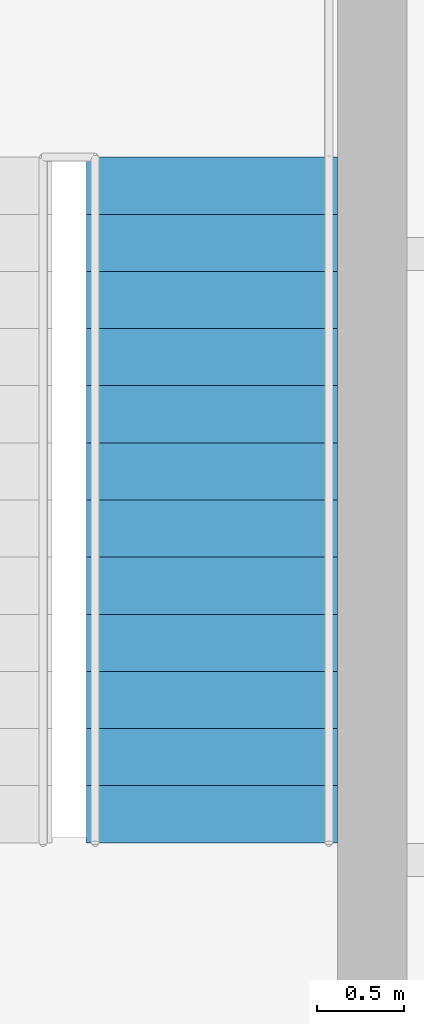
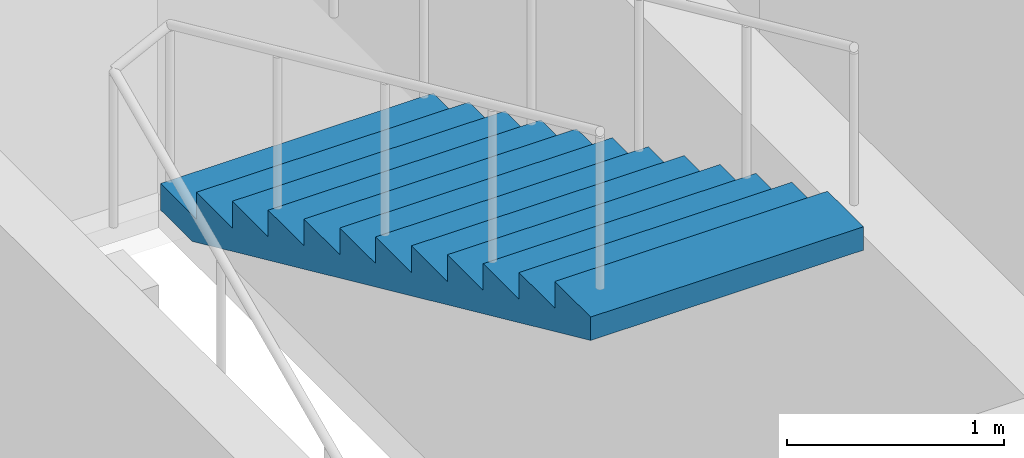
# One storey, part 9 of 10: 1 stair flight, 1 element without a shape of its own.
"""IFC4 building model written with IfcOpenShell, lengths in metres."""

from ifc_helpers import new_model, si_unit, direction, frame, origin, place, context, subcontext, project, spatial, polygons, material, type_object, element, aggregate, save


model = new_model("IFC4")

# Units and contexts
model_context = context("Model", 3, precision=1e-05, world=origin(), true_north=direction((0.0, 1.0)))
body_context = subcontext(model_context, "Body", "Model", "MODEL_VIEW")
ifc_project = project(units=[si_unit("LENGTHUNIT", "METRE"), si_unit("AREAUNIT", "SQUARE_METRE"), si_unit("VOLUMEUNIT", "CUBIC_METRE"), si_unit("PLANEANGLEUNIT", "RADIAN"), si_unit("MASSUNIT", "GRAM", prefix="KILO")], contexts=[model_context])

# Site, building, storey
site_placement = place(None, origin())
site = spatial("IfcSite", under=ifc_project, at=site_placement, CompositionType="ELEMENT")
building_placement = place(site_placement, origin())
building = spatial("IfcBuilding", under=site, at=building_placement, Name="Njiva Tower", CompositionType="ELEMENT")
storey_placement = place(building_placement, frame((0.0, 0.0, 257.1)))
storey = spatial("IfcBuildingStorey", under=building, at=storey_placement, Name="L58", CompositionType="ELEMENT", Elevation=257.1)

# Stair, stair flight
ifc_material = material(Name="Concrete C40/50", Category="concrete")
stair_type = type_object("IfcStairType", Name="ST3 Exit stair 1450", PredefinedType="HALF_TURN_STAIR", material=ifc_material)
stair_placement = place(storey_placement, origin())
stair = element("IfcStair", 1, at=stair_placement, inside=storey, type_object=stair_type, Name="Stair B", PredefinedType="HALF_TURN_STAIR")
stair_flight_type = type_object("IfcStairFlightType", Name="FL3 Stair flight 1450", PredefinedType="STRAIGHT", material=ifc_material)
stair_flight_placement = place(storey_placement, frame((13.375, 15.06, 1.95), z_axis=(0.0, 0.0, 1.0), x_axis=(0.0, -1.0, 0.0)))
stair_flight = element("IfcStairFlight", 2, at=stair_flight_placement, type_object=stair_flight_type, Name="ST-B flight 2", NumberOfRisers=13, NumberOfTreads=12, PredefinedType="STRAIGHT", RiserHeight=0.15, TreadLength=0.33, context=body_context, shape_type="Tessellation", body=[
    polygons([(0.0, 0.725, 0.0), (0.0, 0.3625, 0.0), (0.0, 0.0, 0.0), (0.0, -0.3625, 0.0), (0.0, -0.725, 0.0), (0.0, 0.725, 0.15), (0.0, 0.3625, 0.15), (0.0, 0.0, 0.15), (0.0, -0.3625, 0.15), (0.0, -0.725, 0.15), (0.33, 0.725, 0.15), (0.33, 0.3625, 0.15), (0.33, 0.0, 0.15), (0.33, -0.3625, 0.15), (0.33, -0.725, 0.15), (0.33, 0.725, 0.3), (0.33, 0.3625, 0.3), (0.33, 0.0, 0.3), (0.33, -0.3625, 0.3), (0.33, -0.725, 0.3), (0.66, 0.725, 0.3), (0.66, 0.3625, 0.3), (0.66, 0.0, 0.3), (0.66, -0.3625, 0.3), (0.66, -0.725, 0.3), (0.66, 0.725, 0.45), (0.66, 0.3625, 0.45), (0.66, 0.0, 0.45), (0.66, -0.3625, 0.45), (0.66, -0.725, 0.45), (0.99, 0.725, 0.45), (0.99, 0.3625, 0.45), (0.99, 0.0, 0.45), (0.99, -0.3625, 0.45), (0.99, -0.725, 0.45), (0.99, 0.725, 0.6), (0.99, 0.3625, 0.6), (0.99, 0.0, 0.6), (0.99, -0.3625, 0.6), (0.99, -0.725, 0.6), (1.32, 0.725, 0.6), (1.32, 0.3625, 0.6), (1.32, 0.0, 0.6), (1.32, -0.3625, 0.6), (1.32, -0.725, 0.6), (1.32, 0.725, 0.75), (1.32, 0.3625, 0.75), (1.32, 0.0, 0.75), (1.32, -0.3625, 0.75), (1.32, -0.725, 0.75), (1.65, 0.725, 0.75), (1.65, 0.3625, 0.75), (1.65, 0.0, 0.75), (1.65, -0.3625, 0.75), (1.65, -0.725, 0.75), (1.65, 0.725, 0.9), (1.65, 0.3625, 0.9), (1.65, 0.0, 0.9), (1.65, -0.3625, 0.9), (1.65, -0.725, 0.9), (1.98, 0.725, 0.9), (1.98, 0.3625, 0.9), (1.98, 0.0, 0.9), (1.98, -0.3625, 0.9), (1.98, -0.725, 0.9), (1.98, 0.725, 1.05), (1.98, 0.3625, 1.05), (1.98, 0.0, 1.05), (1.98, -0.3625, 1.05), (1.98, -0.725, 1.05), (2.31, 0.725, 1.05), (2.31, 0.3625, 1.05), (2.31, 0.0, 1.05), (2.31, -0.3625, 1.05), (2.31, -0.725, 1.05), (2.31, 0.725, 1.2), (2.31, 0.3625, 1.2), (2.31, 0.0, 1.2), (2.31, -0.3625, 1.2), (2.31, -0.725, 1.2), (2.64, 0.725, 1.2), (2.64, 0.3625, 1.2), (2.64, 0.0, 1.2), (2.64, -0.3625, 1.2), (2.64, -0.725, 1.2), (2.64, 0.725, 1.35), (2.64, 0.3625, 1.35), (2.64, 0.0, 1.35), (2.64, -0.3625, 1.35), (2.64, -0.725, 1.35), (2.97, 0.725, 1.35), (2.97, 0.3625, 1.35), (2.97, 0.0, 1.35), (2.97, -0.3625, 1.35), (2.97, -0.725, 1.35), (2.97, 0.725, 1.5), (2.97, 0.3625, 1.5), (2.97, 0.0, 1.5), (2.97, -0.3625, 1.5), (2.97, -0.725, 1.5), (3.3, 0.725, 1.5), (3.3, 0.3625, 1.5), (3.3, 0.0, 1.5), (3.3, -0.3625, 1.5), (3.3, -0.725, 1.5), (3.3, 0.725, 1.65), (3.3, 0.3625, 1.65), (3.3, 0.0, 1.65), (3.3, -0.3625, 1.65), (3.3, -0.725, 1.65), (3.63, 0.725, 1.65), (3.63, 0.3625, 1.65), (3.63, 0.0, 1.65), (3.63, -0.3625, 1.65), (3.63, -0.725, 1.65), (3.63, 0.725, 1.8), (3.63, 0.3625, 1.8), (3.63, 0.0, 1.8), (3.63, -0.3625, 1.8), (3.63, -0.725, 1.8), (3.96, 0.725, 1.8), (3.96, 0.3625, 1.8), (3.96, 0.0, 1.8), (3.96, -0.3625, 1.8), (3.96, -0.725, 1.8), (3.96, 0.725, 1.6682), (3.96, 0.3625, 1.6682), (3.96, 0.0, 1.6682), (3.96, -0.3625, 1.6682), (3.96, -0.725, 1.6682), (0.29, 0.725, 0.0), (0.29, 0.3625, 0.0), (0.29, 0.0, 0.0), (0.29, -0.3625, 0.0), (0.29, -0.725, 0.0)], [[[1, 6, 11, 16, 21, 26, 31, 36, 41, 46, 51, 56, 61, 66, 71, 76, 81, 86, 91, 96, 101, 106, 111, 116, 121, 126, 131]], [[135, 130, 125, 120, 115, 110, 105, 100, 95, 90, 85, 80, 75, 70, 65, 60, 55, 50, 45, 40, 35, 30, 25, 20, 15, 10, 5]], [[6, 1, 2, 7]], [[7, 2, 3, 8]], [[8, 3, 4, 9]], [[9, 4, 5, 10]], [[11, 6, 7, 12]], [[12, 7, 8, 13]], [[13, 8, 9, 14]], [[14, 9, 10, 15]], [[16, 11, 12, 17]], [[17, 12, 13, 18]], [[18, 13, 14, 19]], [[19, 14, 15, 20]], [[21, 16, 17, 22]], [[22, 17, 18, 23]], [[23, 18, 19, 24]], [[24, 19, 20, 25]], [[26, 21, 22, 27]], [[27, 22, 23, 28]], [[28, 23, 24, 29]], [[29, 24, 25, 30]], [[31, 26, 27, 32]], [[32, 27, 28, 33]], [[33, 28, 29, 34]], [[34, 29, 30, 35]], [[36, 31, 32, 37]], [[37, 32, 33, 38]], [[38, 33, 34, 39]], [[39, 34, 35, 40]], [[41, 36, 37, 42]], [[42, 37, 38, 43]], [[43, 38, 39, 44]], [[44, 39, 40, 45]], [[46, 41, 42, 47]], [[47, 42, 43, 48]], [[48, 43, 44, 49]], [[49, 44, 45, 50]], [[51, 46, 47, 52]], [[52, 47, 48, 53]], [[53, 48, 49, 54]], [[54, 49, 50, 55]], [[56, 51, 52, 57]], [[57, 52, 53, 58]], [[58, 53, 54, 59]], [[59, 54, 55, 60]], [[61, 56, 57, 62]], [[62, 57, 58, 63]], [[63, 58, 59, 64]], [[64, 59, 60, 65]], [[66, 61, 62, 67]], [[67, 62, 63, 68]], [[68, 63, 64, 69]], [[69, 64, 65, 70]], [[71, 66, 67, 72]], [[72, 67, 68, 73]], [[73, 68, 69, 74]], [[74, 69, 70, 75]], [[76, 71, 72, 77]], [[77, 72, 73, 78]], [[78, 73, 74, 79]], [[79, 74, 75, 80]], [[81, 76, 77, 82]], [[82, 77, 78, 83]], [[83, 78, 79, 84]], [[84, 79, 80, 85]], [[86, 81, 82, 87]], [[87, 82, 83, 88]], [[88, 83, 84, 89]], [[89, 84, 85, 90]], [[91, 86, 87, 92]], [[92, 87, 88, 93]], [[93, 88, 89, 94]], [[94, 89, 90, 95]], [[96, 91, 92, 97]], [[97, 92, 93, 98]], [[98, 93, 94, 99]], [[99, 94, 95, 100]], [[101, 96, 97, 102]], [[102, 97, 98, 103]], [[103, 98, 99, 104]], [[104, 99, 100, 105]], [[106, 101, 102, 107]], [[107, 102, 103, 108]], [[108, 103, 104, 109]], [[109, 104, 105, 110]], [[111, 106, 107, 112]], [[112, 107, 108, 113]], [[113, 108, 109, 114]], [[114, 109, 110, 115]], [[116, 111, 112, 117]], [[117, 112, 113, 118]], [[118, 113, 114, 119]], [[119, 114, 115, 120]], [[121, 116, 117, 122]], [[122, 117, 118, 123]], [[123, 118, 119, 124]], [[124, 119, 120, 125]], [[126, 121, 122, 127]], [[127, 122, 123, 128]], [[128, 123, 124, 129]], [[129, 124, 125, 130]], [[131, 126, 127, 132]], [[132, 127, 128, 133]], [[133, 128, 129, 134]], [[134, 129, 130, 135]], [[1, 131, 132, 2]], [[2, 132, 133, 3]], [[3, 133, 134, 4]], [[4, 134, 135, 5]]], closed=True),
])
aggregate(stair, [stair_flight])

save(model, "model.ifc")
